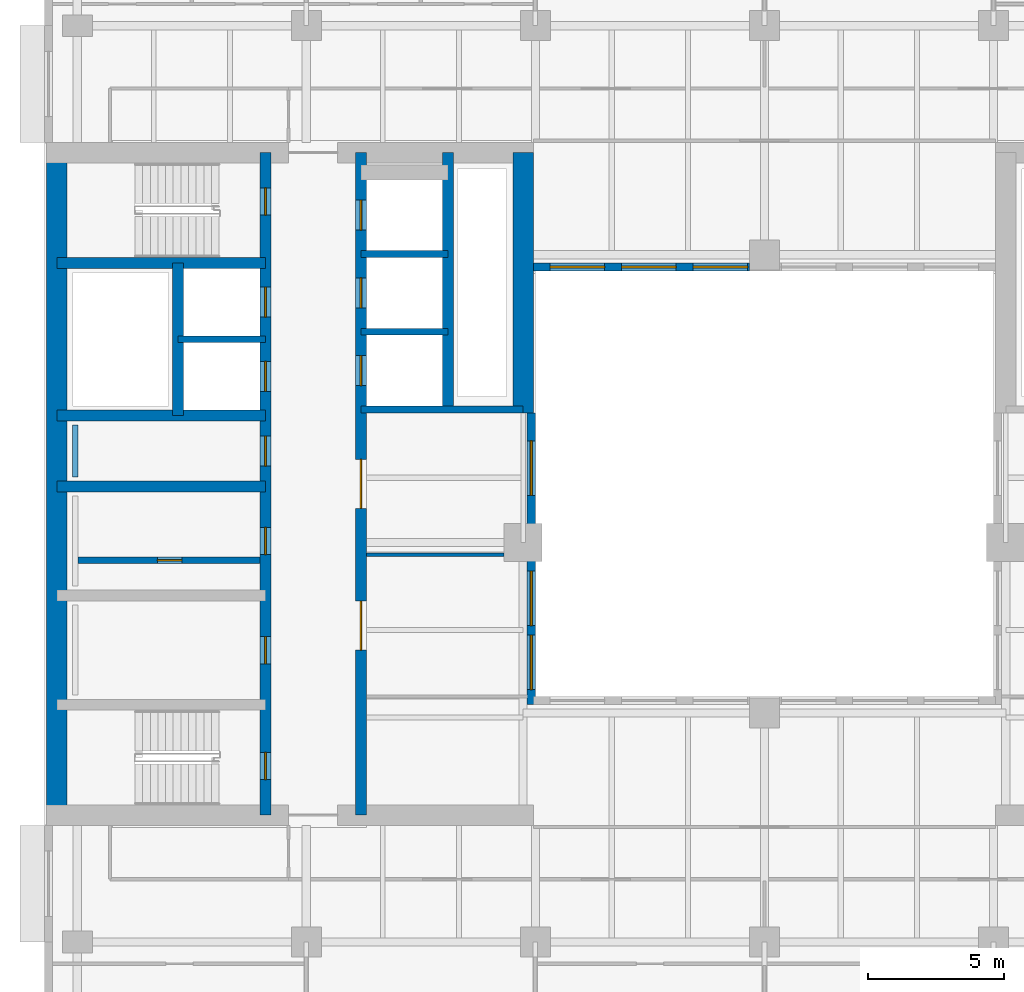
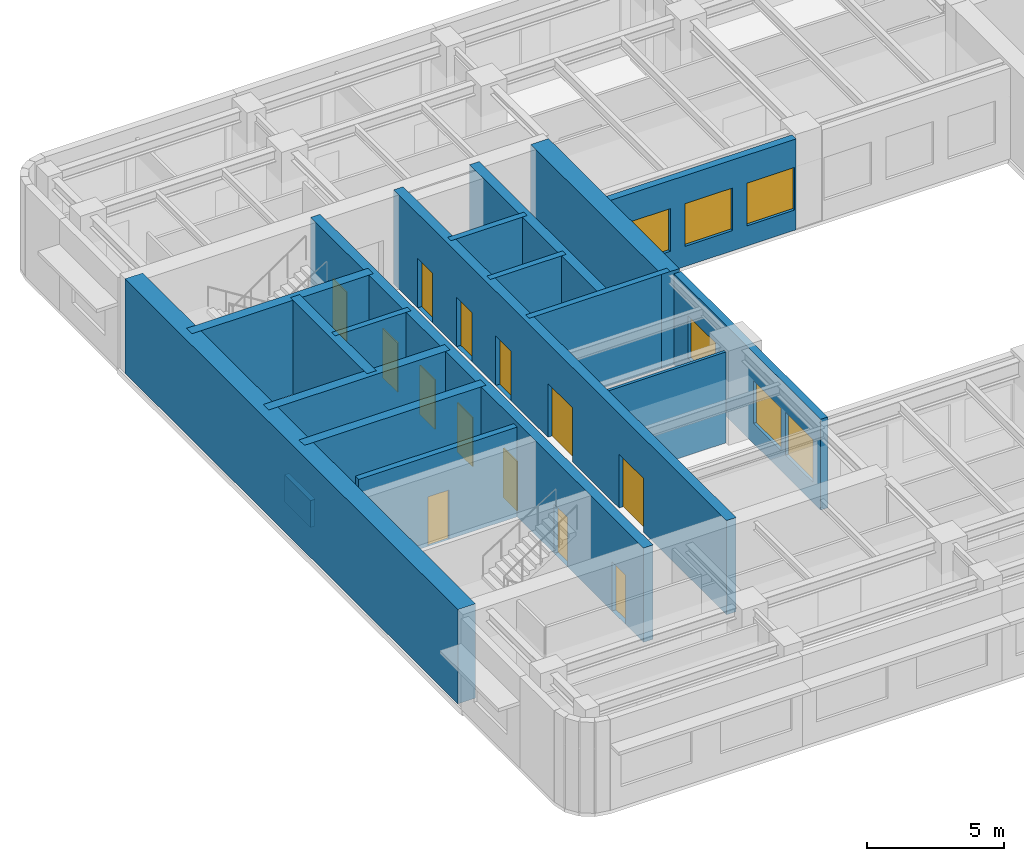
# One storey, part 4 of 11: 18 walls, 13 doors, 6 windows, 19 openings.
"""IFC4 building model written with IfcOpenShell, lengths in metres."""

from ifc_helpers import new_model, si_unit, direction, frame, frame_2d, origin, place, context, subcontext, project, spatial, rectangle, extrude, material, layer, layer_set, type_object, element, fill, save


model = new_model("IFC4")

# Units and contexts
model_context = context("Model", 3, precision=1e-05, world=origin(), true_north=direction((0.0, 1.0)))
body_context = subcontext(model_context, "Body", "Model", "MODEL_VIEW")
ifc_project = project(units=[si_unit("LENGTHUNIT", "METRE"), si_unit("AREAUNIT", "SQUARE_METRE"), si_unit("VOLUMEUNIT", "CUBIC_METRE"), si_unit("PLANEANGLEUNIT", "RADIAN"), si_unit("MASSUNIT", "GRAM", prefix="KILO")], contexts=[model_context])

# Site, building, storey
site_placement = place(None, origin())
site = spatial("IfcSite", under=ifc_project, at=site_placement, CompositionType="ELEMENT")
building_placement = place(site_placement, origin())
building = spatial("IfcBuilding", under=site, at=building_placement, Name="Claustro Exchange Tower", CompositionType="ELEMENT")
storey_placement = place(building_placement, frame((0.0, 0.0, 198.60009765625)))
storey = spatial("IfcBuildingStorey", under=building, at=storey_placement, Name="L45", CompositionType="ELEMENT", Elevation=198.60009765625)

# Wall
ifc_material_1 = material(Name="Laminated glass in aluminium frame", Category="aluminium")
ifc_layer_1 = layer(ifc_material_1, 0.1201171875)
ifc_layer_set_1 = layer_set([ifc_layer_1], Name="Laminated glass in aluminium frame")
wall_type_1 = type_object("IfcWallType", Name="P2 120 glazed partition", PredefinedType="PARTITIONING", material=ifc_layer_set_1)
wall_1_placement = place(storey_placement, frame((10.597900390625, 22.60009765625, 0.0), z_axis=(0.0, 0.0, 1.0), x_axis=(1.0, 0.0, 0.0)))
element("IfcWall", 1, at=wall_1_placement, inside=storey, type_object=wall_type_1, Name="Partition P2 L45", PredefinedType="PARTITIONING", context=body_context, shape_type="SweptSolid", body=[
    extrude(rectangle(XDim=5.052978515625, YDim=0.1201171875, at=frame_2d((2.5263671875, 0.0))), origin(), (0.0, 0.0, 1.0), 4.0498046875),
])

# Wall, opening, door
ifc_material_2 = material(Name="Concrete blockwork, rendered", Category="masonry")
ifc_layer_2 = layer(ifc_material_2, 0.25)
ifc_layer_set_2 = layer_set([ifc_layer_2], Name="Concrete blockwork, rendered")
wall_type_2 = type_object("IfcWallType", Name="P4 250 blockwork wall", PredefinedType="PARTITIONING", material=ifc_layer_set_2)
wall_2_placement = place(storey_placement, frame((0.02490234375, 22.39990234375, 0.0), z_axis=(0.0, 0.0, 1.0), x_axis=(1.0, 0.0, 0.0)))
wall_2 = element("IfcWall", 2, at=wall_2_placement, inside=storey, type_object=wall_type_2, Name="Partition P4 L45", PredefinedType="PARTITIONING", context=body_context, shape_type="SweptSolid", body=[
    extrude(rectangle(XDim=6.675048828125, YDim=0.25, at=frame_2d((3.33740234375, 0.0))), origin(), (0.0, 0.0, 1.0), 4.0),
])
opening_1_placement = place(wall_2_placement, frame((2.91259765625, 0.0, 0.0)))
opening_1 = element("IfcOpeningElement", 3, at=opening_1_placement, cuts=wall_2, Name="Opening D5", PredefinedType="OPENING", context=body_context, shape_type="SweptSolid", body=[
    extrude(rectangle(XDim=0.89990234375, YDim=2.199951171875, at=frame_2d((0.449951171875, 1.10009765625))), frame((0.0, 0.135009765625, 0.0), z_axis=(0.0, -1.0, 0.0), x_axis=(1.0, 0.0, 0.0)), (0.0, 0.0, 1.0), 0.27001953125),
])
ifc_material_3 = material(Name="Steel door, painted", Category="steel")
door_type_1 = type_object("IfcDoorType", Name="D5 900 x 2200 store door", OperationType="SINGLE_SWING_LEFT", PredefinedType="DOOR", material=ifc_material_3)
door_1_placement = place(opening_1_placement, frame((0.89990234375, 0.0, 0.0), z_axis=(0.0, 0.0, 1.0), x_axis=(-1.0, 0.0, 0.0)))
door_1 = element("IfcDoor", 4, at=door_1_placement, inside=storey, type_object=door_type_1, Name="Store door D5 L45", OperationType="SINGLE_SWING_LEFT", OverallHeight=2.199951171875, OverallWidth=0.89990234375, PredefinedType="DOOR", context=body_context, shape_type="SweptSolid", body=[
    extrude(rectangle(XDim=0.89990234375, YDim=2.199951171875, at=frame_2d((0.449951171875, 1.10009765625))), frame((0.0, 0.02490234375, 0.0), z_axis=(0.0, -1.0, 0.0), x_axis=(1.0, 0.0, 0.0)), (0.0, 0.0, 1.0), 0.050048828125),
])
fill(opening_1, door_1)

# Wall, openings, windows
ifc_material_4 = material(Name="Concrete HA-40 (C40/50), precast, white cement, acid-etched", Category="concrete")
ifc_layer_3 = layer(ifc_material_4, 0.300048828125)
ifc_layer_set_3 = layer_set([ifc_layer_3], Name="Concrete HA-40 (C40/50), precast, white cement, acid-etched")
wall_type_3 = type_object("IfcWallType", Name="PC1 300 precast concrete pier panel", PredefinedType="SOLIDWALL", material=ifc_layer_set_3)
wall_3_placement = place(storey_placement, frame((16.64990234375, 17.10009765625, 0.0), z_axis=(0.0, 0.0, 1.0), x_axis=(0.0, 1.0, 0.0)))
wall_3 = element("IfcWall", 5, at=wall_3_placement, inside=storey, type_object=wall_type_3, Name="Precast pier panel PC1 L45", PredefinedType="SOLIDWALL", context=body_context, shape_type="SweptSolid", body=[
    extrude(rectangle(XDim=10.699951171875, YDim=0.300048828125, at=frame_2d((5.35009765625, 0.0))), origin(), (0.0, 0.0, 1.0), 4.0498046875),
])
opening_2_placement = place(wall_3_placement, frame((0.550048828125, 0.0, 0.89990234375)))
opening_2 = element("IfcOpeningElement", 6, at=opening_2_placement, cuts=wall_3, Name="Opening W4", PredefinedType="OPENING", context=body_context, shape_type="SweptSolid", body=[
    extrude(rectangle(XDim=2.0, YDim=1.89990234375, at=frame_2d((1.0, 0.949951171875))), frame((0.0, 0.159912109375, 0.0), z_axis=(0.0, -1.0, 0.0), x_axis=(1.0, 0.0, 0.0)), (0.0, 0.0, 1.0), 0.320068359375),
])
opening_3_placement = place(wall_3_placement, frame((2.89990234375, 0.0, 0.89990234375)))
opening_3 = element("IfcOpeningElement", 7, at=opening_3_placement, cuts=wall_3, Name="Opening W4", PredefinedType="OPENING", context=body_context, shape_type="SweptSolid", body=[
    extrude(rectangle(XDim=2.0, YDim=1.89990234375, at=frame_2d((1.0, 0.949951171875))), frame((0.0, 0.159912109375, 0.0), z_axis=(0.0, -1.0, 0.0), x_axis=(1.0, 0.0, 0.0)), (0.0, 0.0, 1.0), 0.320068359375),
])
opening_4_placement = place(wall_3_placement, frame((7.675048828125, 0.0, 0.89990234375)))
opening_4 = element("IfcOpeningElement", 8, at=opening_4_placement, cuts=wall_3, Name="Opening W4", PredefinedType="OPENING", context=body_context, shape_type="SweptSolid", body=[
    extrude(rectangle(XDim=2.0, YDim=1.89990234375, at=frame_2d((1.0, 0.949951171875))), frame((0.0, 0.159912109375, 0.0), z_axis=(0.0, -1.0, 0.0), x_axis=(1.0, 0.0, 0.0)), (0.0, 0.0, 1.0), 0.320068359375),
])
ifc_material_5 = material(Name="Aluminium frame, clear double glazing", Category="aluminium")
window_type = type_object("IfcWindowType", Name="W4 2000 x 1900 light well window", PartitioningType="SINGLE_PANEL", PredefinedType="WINDOW", material=ifc_material_5)
window_1_placement = place(opening_2_placement, origin())
window_1 = element("IfcWindow", 9, at=window_1_placement, inside=storey, type_object=window_type, Name="Window W4 L45", OverallHeight=1.89990234375, OverallWidth=2.0, PartitioningType="SINGLE_PANEL", PredefinedType="WINDOW", context=body_context, shape_type="SweptSolid", body=[
    extrude(rectangle(XDim=2.0, YDim=1.89990234375, at=frame_2d((1.0, 0.949951171875))), frame((0.0, 0.030029296875, 0.0), z_axis=(0.0, -1.0, 0.0), x_axis=(1.0, 0.0, 0.0)), (0.0, 0.0, 1.0), 0.06005859375),
])
fill(opening_2, window_1)
window_2_placement = place(opening_3_placement, origin())
window_2 = element("IfcWindow", 10, at=window_2_placement, inside=storey, type_object=window_type, Name="Window W4 L45", OverallHeight=1.89990234375, OverallWidth=2.0, PartitioningType="SINGLE_PANEL", PredefinedType="WINDOW", context=body_context, shape_type="SweptSolid", body=[
    extrude(rectangle(XDim=2.0, YDim=1.89990234375, at=frame_2d((1.0, 0.949951171875))), frame((0.0, 0.030029296875, 0.0), z_axis=(0.0, -1.0, 0.0), x_axis=(1.0, 0.0, 0.0)), (0.0, 0.0, 1.0), 0.06005859375),
])
fill(opening_3, window_2)
window_3_placement = place(opening_4_placement, origin())
window_3 = element("IfcWindow", 11, at=window_3_placement, inside=storey, type_object=window_type, Name="Window W4 L45", OverallHeight=1.89990234375, OverallWidth=2.0, PartitioningType="SINGLE_PANEL", PredefinedType="WINDOW", context=body_context, shape_type="SweptSolid", body=[
    extrude(rectangle(XDim=2.0, YDim=1.89990234375, at=frame_2d((1.0, 0.949951171875))), frame((0.0, 0.030029296875, 0.0), z_axis=(0.0, -1.0, 0.0), x_axis=(1.0, 0.0, 0.0)), (0.0, 0.0, 1.0), 0.06005859375),
])
fill(opening_4, window_3)

wall_4_placement = place(storey_placement, frame((16.72509765625, 33.14990234375, 0.0), z_axis=(0.0, 0.0, 1.0), x_axis=(1.0, 0.0, 0.0)))
wall_4 = element("IfcWall", 12, at=wall_4_placement, inside=storey, type_object=wall_type_3, Name="Precast pier panel PC1 L45", PredefinedType="SOLIDWALL", context=body_context, shape_type="SweptSolid", body=[
    extrude(rectangle(XDim=7.9248046875, YDim=0.300048828125, at=frame_2d((3.96240234375, 0.0))), origin(), (0.0, 0.0, 1.0), 4.0498046875),
])
opening_5_placement = place(wall_4_placement, frame((0.61865234375, 0.0, 0.89990234375)))
opening_5 = element("IfcOpeningElement", 13, at=opening_5_placement, cuts=wall_4, Name="Opening W4", PredefinedType="OPENING", context=body_context, shape_type="SweptSolid", body=[
    extrude(rectangle(XDim=2.0, YDim=1.89990234375, at=frame_2d((1.0, 0.949951171875))), frame((0.0, 0.159912109375, 0.0), z_axis=(0.0, -1.0, 0.0), x_axis=(1.0, 0.0, 0.0)), (0.0, 0.0, 1.0), 0.320068359375),
])
opening_6_placement = place(wall_4_placement, frame((3.237548828125, 0.0, 0.89990234375)))
opening_6 = element("IfcOpeningElement", 14, at=opening_6_placement, cuts=wall_4, Name="Opening W4", PredefinedType="OPENING", context=body_context, shape_type="SweptSolid", body=[
    extrude(rectangle(XDim=2.0, YDim=1.89990234375, at=frame_2d((1.0, 0.949951171875))), frame((0.0, 0.159912109375, 0.0), z_axis=(0.0, -1.0, 0.0), x_axis=(1.0, 0.0, 0.0)), (0.0, 0.0, 1.0), 0.320068359375),
])
opening_7_placement = place(wall_4_placement, frame((5.856201171875, 0.0, 0.89990234375)))
opening_7 = element("IfcOpeningElement", 15, at=opening_7_placement, cuts=wall_4, Name="Opening W4", PredefinedType="OPENING", context=body_context, shape_type="SweptSolid", body=[
    extrude(rectangle(XDim=2.0, YDim=1.89990234375, at=frame_2d((1.0, 0.949951171875))), frame((0.0, 0.159912109375, 0.0), z_axis=(0.0, -1.0, 0.0), x_axis=(1.0, 0.0, 0.0)), (0.0, 0.0, 1.0), 0.320068359375),
])
window_4_placement = place(opening_5_placement, origin())
window_4 = element("IfcWindow", 16, at=window_4_placement, inside=storey, type_object=window_type, Name="Window W4 L45", OverallHeight=1.89990234375, OverallWidth=2.0, PartitioningType="SINGLE_PANEL", PredefinedType="WINDOW", context=body_context, shape_type="SweptSolid", body=[
    extrude(rectangle(XDim=2.0, YDim=1.89990234375, at=frame_2d((1.0, 0.949951171875))), frame((0.0, 0.030029296875, 0.0), z_axis=(0.0, -1.0, 0.0), x_axis=(1.0, 0.0, 0.0)), (0.0, 0.0, 1.0), 0.06005859375),
])
fill(opening_5, window_4)
window_5_placement = place(opening_6_placement, origin())
window_5 = element("IfcWindow", 17, at=window_5_placement, inside=storey, type_object=window_type, Name="Window W4 L45", OverallHeight=1.89990234375, OverallWidth=2.0, PartitioningType="SINGLE_PANEL", PredefinedType="WINDOW", context=body_context, shape_type="SweptSolid", body=[
    extrude(rectangle(XDim=2.0, YDim=1.89990234375, at=frame_2d((1.0, 0.949951171875))), frame((0.0, 0.030029296875, 0.0), z_axis=(0.0, -1.0, 0.0), x_axis=(1.0, 0.0, 0.0)), (0.0, 0.0, 1.0), 0.06005859375),
])
fill(opening_6, window_5)
window_6_placement = place(opening_7_placement, origin())
window_6 = element("IfcWindow", 18, at=window_6_placement, inside=storey, type_object=window_type, Name="Window W4 L45", OverallHeight=1.89990234375, OverallWidth=2.0, PartitioningType="SINGLE_PANEL", PredefinedType="WINDOW", context=body_context, shape_type="SweptSolid", body=[
    extrude(rectangle(XDim=2.0, YDim=1.89990234375, at=frame_2d((1.0, 0.949951171875))), frame((0.0, 0.030029296875, 0.0), z_axis=(0.0, -1.0, 0.0), x_axis=(1.0, 0.0, 0.0)), (0.0, 0.0, 1.0), 0.06005859375),
])
fill(opening_7, window_6)

# Walls
ifc_material_6 = material(Name="Gypsum board on steel studs, tiled", Category="steel")
ifc_layer_4 = layer(ifc_material_6, 0.199951171875)
ifc_layer_set_4 = layer_set([ifc_layer_4], Name="Gypsum board on steel studs, tiled")
wall_type_4 = type_object("IfcWallType", Name="PW1 200 WC duct wall", PredefinedType="PLUMBINGWALL", material=ifc_layer_set_4)
wall_5_placement = place(storey_placement, frame((-0.074951171875, 25.449951171875, 0.0), z_axis=(0.0, 0.0, 1.0), x_axis=(0.0, 1.0, 0.0)))
element("IfcWall", 19, at=wall_5_placement, inside=storey, type_object=wall_type_4, Name="WC duct wall PW1 L45", PredefinedType="PLUMBINGWALL", context=body_context, shape_type="SweptSolid", body=[
    extrude(rectangle(XDim=1.900146484375, YDim=0.199951171875, at=frame_2d((0.9501953125, 0.0))), origin(), (0.0, 0.0, 1.0), 1.199951171875),
])
ifc_material_7 = material(Name="Concrete HA-70 (C70/85)", Category="concrete")
ifc_layer_5 = layer(ifc_material_7, 0.75)
ifc_layer_set_5 = layer_set([ifc_layer_5], Name="Concrete HA-70 (C70/85)")
wall_type_5 = type_object("IfcWallType", Name="SW2X 750 exposed core shear wall, board-marked face", PredefinedType="SHEAR", material=ifc_layer_set_5)
wall_6_placement = place(storey_placement, frame((-0.75, 13.050048828125, 0.0), z_axis=(0.0, 0.0, 1.0), x_axis=(0.0, 1.0, 0.0)))
element("IfcWall", 20, at=wall_6_placement, inside=storey, type_object=wall_type_5, Name="Core wall SW2X W core W face L45", PredefinedType="SHEAR", context=body_context, shape_type="SweptSolid", body=[
    extrude(rectangle(XDim=24.300048828125, YDim=0.75, at=frame_2d((12.14990234375, 0.0))), origin(), (0.0, 0.0, 1.0), 4.199951171875),
])
wall_7_placement = place(storey_placement, frame((16.35009765625, 27.800048828125, 0.0), z_axis=(0.0, 0.0, 1.0), x_axis=(0.0, 1.0, 0.0)))
element("IfcWall", 21, at=wall_7_placement, inside=storey, type_object=wall_type_5, Name="Core wall SW2X W core E face L45", PredefinedType="SHEAR", context=body_context, shape_type="SweptSolid", body=[
    extrude(rectangle(XDim=9.550048828125, YDim=0.75, at=frame_2d((4.77490234375, 0.0))), origin(), (0.0, 0.0, 1.0), 4.199951171875),
])

# Wall, openings, doors
ifc_material_8 = material(Name="Concrete HA-50 (C50/60)", Category="concrete")
ifc_layer_6 = layer(ifc_material_8, 0.39990234375)
ifc_layer_set_6 = layer_set([ifc_layer_6], Name="Concrete HA-50 (C50/60)")
wall_type_6 = type_object("IfcWallType", Name="SW4 400 internal core wall", PredefinedType="SHEAR", material=ifc_layer_set_6)
wall_8_placement = place(storey_placement, frame((6.89990234375, 13.050048828125, 0.0), z_axis=(0.0, 0.0, 1.0), x_axis=(0.0, 1.0, 0.0)))
wall_8 = element("IfcWall", 22, at=wall_8_placement, inside=storey, type_object=wall_type_6, Name="Internal core wall SW4 W core L45", PredefinedType="SHEAR", context=body_context, shape_type="SweptSolid", body=[
    extrude(rectangle(XDim=24.300048828125, YDim=0.39990234375, at=frame_2d((12.14990234375, 0.0))), origin(), (0.0, 0.0, 1.0), 4.199951171875),
])
opening_8_placement = place(wall_8_placement, frame((1.300048828125, 0.0, 0.0)))
opening_8 = element("IfcOpeningElement", 23, at=opening_8_placement, cuts=wall_8, Name="Opening D4", PredefinedType="OPENING", context=body_context, shape_type="SweptSolid", body=[
    extrude(rectangle(XDim=1.0, YDim=2.199951171875, at=frame_2d((0.5, 1.10009765625))), frame((0.0, 0.2099609375, 0.0), z_axis=(0.0, -1.0, 0.0), x_axis=(1.0, 0.0, 0.0)), (0.0, 0.0, 1.0), 0.419921875),
])
opening_9_placement = place(wall_8_placement, frame((22.0, 0.0, 0.0)))
opening_9 = element("IfcOpeningElement", 24, at=opening_9_placement, cuts=wall_8, Name="Opening D4", PredefinedType="OPENING", context=body_context, shape_type="SweptSolid", body=[
    extrude(rectangle(XDim=1.0, YDim=2.199951171875, at=frame_2d((0.5, 1.10009765625))), frame((0.0, 0.2099609375, 0.0), z_axis=(0.0, -1.0, 0.0), x_axis=(1.0, 0.0, 0.0)), (0.0, 0.0, 1.0), 0.419921875),
])
opening_10_placement = place(wall_8_placement, frame((5.550048828125, 0.0, 0.0)))
opening_10 = element("IfcOpeningElement", 25, at=opening_10_placement, cuts=wall_8, Name="Opening D1", PredefinedType="OPENING", context=body_context, shape_type="SweptSolid", body=[
    extrude(rectangle(XDim=1.0, YDim=2.199951171875, at=frame_2d((0.5, 1.10009765625))), frame((0.0, 0.2099609375, 0.0), z_axis=(0.0, -1.0, 0.0), x_axis=(1.0, 0.0, 0.0)), (0.0, 0.0, 1.0), 0.419921875),
])
opening_11_placement = place(wall_8_placement, frame((9.550048828125, 0.0, 0.0)))
opening_11 = element("IfcOpeningElement", 26, at=opening_11_placement, cuts=wall_8, Name="Opening D1", PredefinedType="OPENING", context=body_context, shape_type="SweptSolid", body=[
    extrude(rectangle(XDim=1.0, YDim=2.199951171875, at=frame_2d((0.5, 1.10009765625))), frame((0.0, 0.2099609375, 0.0), z_axis=(0.0, -1.0, 0.0), x_axis=(1.0, 0.0, 0.0)), (0.0, 0.0, 1.0), 0.419921875),
])
opening_12_placement = place(wall_8_placement, frame((12.800048828125, 0.0, 0.0)))
opening_12 = element("IfcOpeningElement", 27, at=opening_12_placement, cuts=wall_8, Name="Opening D10", PredefinedType="OPENING", context=body_context, shape_type="SweptSolid", body=[
    extrude(rectangle(XDim=1.10009765625, YDim=2.199951171875, at=frame_2d((0.550048828125, 1.10009765625))), frame((0.0, 0.2099609375, 0.0), z_axis=(0.0, -1.0, 0.0), x_axis=(1.0, 0.0, 0.0)), (0.0, 0.0, 1.0), 0.419921875),
])
opening_13_placement = place(wall_8_placement, frame((15.53759765625, 0.0, 0.0)))
opening_13 = element("IfcOpeningElement", 28, at=opening_13_placement, cuts=wall_8, Name="Opening LD", PredefinedType="OPENING", context=body_context, shape_type="SweptSolid", body=[
    extrude(rectangle(XDim=1.10009765625, YDim=2.199951171875, at=frame_2d((0.550048828125, 1.10009765625))), frame((0.0, 0.2099609375, 0.0), z_axis=(0.0, -1.0, 0.0), x_axis=(1.0, 0.0, 0.0)), (0.0, 0.0, 1.0), 0.419921875),
])
opening_14_placement = place(wall_8_placement, frame((18.262451171875, 0.0, 0.0)))
opening_14 = element("IfcOpeningElement", 29, at=opening_14_placement, cuts=wall_8, Name="Opening LD", PredefinedType="OPENING", context=body_context, shape_type="SweptSolid", body=[
    extrude(rectangle(XDim=1.10009765625, YDim=2.199951171875, at=frame_2d((0.550048828125, 1.10009765625))), frame((0.0, 0.2099609375, 0.0), z_axis=(0.0, -1.0, 0.0), x_axis=(1.0, 0.0, 0.0)), (0.0, 0.0, 1.0), 0.419921875),
])
ifc_material_9 = material(Name="Timber door, oak veneer", Category="wood")
door_type_2 = type_object("IfcDoorType", Name="D1 1000 x 2200 single door", OperationType="SINGLE_SWING_LEFT", PredefinedType="DOOR", material=ifc_material_9)
door_2_placement = place(opening_10_placement, origin())
door_2 = element("IfcDoor", 30, at=door_2_placement, inside=storey, type_object=door_type_2, Name="Door D1 L45", OperationType="SINGLE_SWING_RIGHT", OverallHeight=2.199951171875, OverallWidth=1.0, PredefinedType="DOOR", context=body_context, shape_type="SweptSolid", body=[
    extrude(rectangle(XDim=1.0, YDim=2.199951171875, at=frame_2d((0.5, 1.10009765625))), frame((0.0, 0.02490234375, 0.0), z_axis=(0.0, -1.0, 0.0), x_axis=(1.0, 0.0, 0.0)), (0.0, 0.0, 1.0), 0.050048828125),
])
fill(opening_10, door_2)
door_3_placement = place(opening_11_placement, origin())
door_3 = element("IfcDoor", 31, at=door_3_placement, inside=storey, type_object=door_type_2, Name="Door D1 L45", OperationType="SINGLE_SWING_LEFT", OverallHeight=2.199951171875, OverallWidth=1.0, PredefinedType="DOOR", context=body_context, shape_type="SweptSolid", body=[
    extrude(rectangle(XDim=1.0, YDim=2.199951171875, at=frame_2d((0.5, 1.10009765625))), frame((0.0, 0.02490234375, 0.0), z_axis=(0.0, -1.0, 0.0), x_axis=(1.0, 0.0, 0.0)), (0.0, 0.0, 1.0), 0.050048828125),
])
fill(opening_11, door_3)
ifc_material_10 = material(Name="Timber door, oak veneer", Category="wood")
door_type_3 = type_object("IfcDoorType", Name="D10 1100 x 2200 accessible WC door", OperationType="SINGLE_SWING_LEFT", PredefinedType="DOOR", material=ifc_material_10)
door_4_placement = place(opening_12_placement, frame((1.10009765625, 0.0, 0.0), z_axis=(0.0, 0.0, 1.0), x_axis=(-1.0, 0.0, 0.0)))
door_4 = element("IfcDoor", 32, at=door_4_placement, inside=storey, type_object=door_type_3, Name="Accessible WC door D10 L45", OperationType="SINGLE_SWING_LEFT", OverallHeight=2.199951171875, OverallWidth=1.10009765625, PredefinedType="DOOR", context=body_context, shape_type="SweptSolid", body=[
    extrude(rectangle(XDim=1.10009765625, YDim=2.199951171875, at=frame_2d((0.550048828125, 1.10009765625))), frame((0.0, 0.02490234375, 0.0), z_axis=(0.0, -1.0, 0.0), x_axis=(1.0, 0.0, 0.0)), (0.0, 0.0, 1.0), 0.050048828125),
])
fill(opening_12, door_4)
ifc_material_11 = material(Name="Steel fire door, painted", Category="steel")
door_type_4 = type_object("IfcDoorType", Name="D4 1000 x 2200 fire-rated stair door", OperationType="SINGLE_SWING_LEFT", PredefinedType="DOOR", material=ifc_material_11)
door_5_placement = place(opening_8_placement, origin())
door_5 = element("IfcDoor", 33, at=door_5_placement, inside=storey, type_object=door_type_4, Name="Stair door D4 L45", OperationType="SINGLE_SWING_LEFT", OverallHeight=2.199951171875, OverallWidth=1.0, PredefinedType="DOOR", context=body_context, shape_type="SweptSolid", body=[
    extrude(rectangle(XDim=1.0, YDim=2.199951171875, at=frame_2d((0.5, 1.10009765625))), frame((0.0, 0.02490234375, 0.0), z_axis=(0.0, -1.0, 0.0), x_axis=(1.0, 0.0, 0.0)), (0.0, 0.0, 1.0), 0.050048828125),
])
fill(opening_8, door_5)
door_6_placement = place(opening_9_placement, origin())
door_6 = element("IfcDoor", 34, at=door_6_placement, inside=storey, type_object=door_type_4, Name="Stair door D4 L45", OperationType="SINGLE_SWING_RIGHT", OverallHeight=2.199951171875, OverallWidth=1.0, PredefinedType="DOOR", context=body_context, shape_type="SweptSolid", body=[
    extrude(rectangle(XDim=1.0, YDim=2.199951171875, at=frame_2d((0.5, 1.10009765625))), frame((0.0, 0.02490234375, 0.0), z_axis=(0.0, -1.0, 0.0), x_axis=(1.0, 0.0, 0.0)), (0.0, 0.0, 1.0), 0.050048828125),
])
fill(opening_9, door_6)
ifc_material_12 = material(Name="Stainless steel sliding door", Category="steel")
door_type_5 = type_object("IfcDoorType", Name="LD 1100 x 2200 lift landing door", OperationType="DOUBLE_DOOR_SLIDING", PredefinedType="DOOR", material=ifc_material_12)
door_7_placement = place(opening_13_placement, origin())
door_7 = element("IfcDoor", 35, at=door_7_placement, inside=storey, type_object=door_type_5, Name="Lift landing door LEW1 LD L45", OperationType="DOUBLE_DOOR_SLIDING", OverallHeight=2.199951171875, OverallWidth=1.10009765625, PredefinedType="DOOR", context=body_context, shape_type="SweptSolid", body=[
    extrude(rectangle(XDim=1.10009765625, YDim=2.199951171875, at=frame_2d((0.550048828125, 1.10009765625))), frame((0.0, 0.02490234375, 0.0), z_axis=(0.0, -1.0, 0.0), x_axis=(1.0, 0.0, 0.0)), (0.0, 0.0, 1.0), 0.050048828125),
])
fill(opening_13, door_7)
door_8_placement = place(opening_14_placement, origin())
door_8 = element("IfcDoor", 36, at=door_8_placement, inside=storey, type_object=door_type_5, Name="Lift landing door LEW2 LD L45", OperationType="DOUBLE_DOOR_SLIDING", OverallHeight=2.199951171875, OverallWidth=1.10009765625, PredefinedType="DOOR", context=body_context, shape_type="SweptSolid", body=[
    extrude(rectangle(XDim=1.10009765625, YDim=2.199951171875, at=frame_2d((0.550048828125, 1.10009765625))), frame((0.0, 0.02490234375, 0.0), z_axis=(0.0, -1.0, 0.0), x_axis=(1.0, 0.0, 0.0)), (0.0, 0.0, 1.0), 0.050048828125),
])
fill(opening_14, door_8)

wall_9_placement = place(storey_placement, frame((10.39990234375, 13.050048828125, 0.0), z_axis=(0.0, 0.0, 1.0), x_axis=(0.0, 1.0, 0.0)))
wall_9 = element("IfcWall", 37, at=wall_9_placement, inside=storey, type_object=wall_type_6, Name="Internal core wall SW4 W core L45", PredefinedType="SHEAR", context=body_context, shape_type="SweptSolid", body=[
    extrude(rectangle(XDim=24.300048828125, YDim=0.39990234375, at=frame_2d((12.14990234375, 0.0))), origin(), (0.0, 0.0, 1.0), 4.199951171875),
])
opening_15_placement = place(wall_9_placement, frame((15.75, 0.0, 0.0)))
opening_15 = element("IfcOpeningElement", 38, at=opening_15_placement, cuts=wall_9, Name="Opening LD", PredefinedType="OPENING", context=body_context, shape_type="SweptSolid", body=[
    extrude(rectangle(XDim=1.10009765625, YDim=2.199951171875, at=frame_2d((0.550048828125, 1.10009765625))), frame((0.0, 0.2099609375, 0.0), z_axis=(0.0, -1.0, 0.0), x_axis=(1.0, 0.0, 0.0)), (0.0, 0.0, 1.0), 0.419921875),
])
opening_16_placement = place(wall_9_placement, frame((18.60009765625, 0.0, 0.0)))
opening_16 = element("IfcOpeningElement", 39, at=opening_16_placement, cuts=wall_9, Name="Opening LD", PredefinedType="OPENING", context=body_context, shape_type="SweptSolid", body=[
    extrude(rectangle(XDim=1.10009765625, YDim=2.199951171875, at=frame_2d((0.550048828125, 1.10009765625))), frame((0.0, 0.2099609375, 0.0), z_axis=(0.0, -1.0, 0.0), x_axis=(1.0, 0.0, 0.0)), (0.0, 0.0, 1.0), 0.419921875),
])
opening_17_placement = place(wall_9_placement, frame((21.449951171875, 0.0, 0.0)))
opening_17 = element("IfcOpeningElement", 40, at=opening_17_placement, cuts=wall_9, Name="Opening LD", PredefinedType="OPENING", context=body_context, shape_type="SweptSolid", body=[
    extrude(rectangle(XDim=1.10009765625, YDim=2.199951171875, at=frame_2d((0.550048828125, 1.10009765625))), frame((0.0, 0.2099609375, 0.0), z_axis=(0.0, -1.0, 0.0), x_axis=(1.0, 0.0, 0.0)), (0.0, 0.0, 1.0), 0.419921875),
])
opening_18_placement = place(wall_9_placement, frame((6.050048828125, 0.0, 0.0)))
opening_18 = element("IfcOpeningElement", 41, at=opening_18_placement, cuts=wall_9, Name="Opening D3", PredefinedType="OPENING", context=body_context, shape_type="SweptSolid", body=[
    extrude(rectangle(XDim=1.800048828125, YDim=2.39990234375, at=frame_2d((0.89990234375, 1.199951171875))), frame((0.0, 0.2099609375, 0.0), z_axis=(0.0, -1.0, 0.0), x_axis=(1.0, 0.0, 0.0)), (0.0, 0.0, 1.0), 0.419921875),
])
opening_19_placement = place(wall_9_placement, frame((11.25, 0.0, 0.0)))
opening_19 = element("IfcOpeningElement", 42, at=opening_19_placement, cuts=wall_9, Name="Opening D3", PredefinedType="OPENING", context=body_context, shape_type="SweptSolid", body=[
    extrude(rectangle(XDim=1.800048828125, YDim=2.39990234375, at=frame_2d((0.89990234375, 1.199951171875))), frame((0.0, 0.2099609375, 0.0), z_axis=(0.0, -1.0, 0.0), x_axis=(1.0, 0.0, 0.0)), (0.0, 0.0, 1.0), 0.419921875),
])
ifc_material_13 = material(Name="Steel fire door, painted", Category="steel")
door_type_6 = type_object("IfcDoorType", Name="D3 1800 x 2400 fire-rated lobby double door", OperationType="DOUBLE_DOOR_SINGLE_SWING", PredefinedType="DOOR", material=ifc_material_13)
door_9_placement = place(opening_18_placement, frame((1.800048828125, 0.0, 0.0), z_axis=(0.0, 0.0, 1.0), x_axis=(-1.0, 0.0, 0.0)))
door_9 = element("IfcDoor", 43, at=door_9_placement, inside=storey, type_object=door_type_6, Name="Core zone door D3 L45", OperationType="DOUBLE_DOOR_SINGLE_SWING", OverallHeight=2.39990234375, OverallWidth=1.800048828125, PredefinedType="DOOR", context=body_context, shape_type="SweptSolid", body=[
    extrude(rectangle(XDim=1.800048828125, YDim=2.39990234375, at=frame_2d((0.89990234375, 1.199951171875))), frame((0.0, 0.02490234375, 0.0), z_axis=(0.0, -1.0, 0.0), x_axis=(1.0, 0.0, 0.0)), (0.0, 0.0, 1.0), 0.050048828125),
])
fill(opening_18, door_9)
door_10_placement = place(opening_19_placement, frame((1.800048828125, 0.0, 0.0), z_axis=(0.0, 0.0, 1.0), x_axis=(-1.0, 0.0, 0.0)))
door_10 = element("IfcDoor", 44, at=door_10_placement, inside=storey, type_object=door_type_6, Name="Core zone door D3 L45", OperationType="DOUBLE_DOOR_SINGLE_SWING", OverallHeight=2.39990234375, OverallWidth=1.800048828125, PredefinedType="DOOR", context=body_context, shape_type="SweptSolid", body=[
    extrude(rectangle(XDim=1.800048828125, YDim=2.39990234375, at=frame_2d((0.89990234375, 1.199951171875))), frame((0.0, 0.02490234375, 0.0), z_axis=(0.0, -1.0, 0.0), x_axis=(1.0, 0.0, 0.0)), (0.0, 0.0, 1.0), 0.050048828125),
])
fill(opening_19, door_10)
door_11_placement = place(opening_15_placement, origin())
door_11 = element("IfcDoor", 45, at=door_11_placement, inside=storey, type_object=door_type_5, Name="Lift landing door LHW1 LD L45", OperationType="DOUBLE_DOOR_SLIDING", OverallHeight=2.199951171875, OverallWidth=1.10009765625, PredefinedType="DOOR", context=body_context, shape_type="SweptSolid", body=[
    extrude(rectangle(XDim=1.10009765625, YDim=2.199951171875, at=frame_2d((0.550048828125, 1.10009765625))), frame((0.0, 0.02490234375, 0.0), z_axis=(0.0, -1.0, 0.0), x_axis=(1.0, 0.0, 0.0)), (0.0, 0.0, 1.0), 0.050048828125),
])
fill(opening_15, door_11)
door_12_placement = place(opening_16_placement, origin())
door_12 = element("IfcDoor", 46, at=door_12_placement, inside=storey, type_object=door_type_5, Name="Lift landing door LHW2 LD L45", OperationType="DOUBLE_DOOR_SLIDING", OverallHeight=2.199951171875, OverallWidth=1.10009765625, PredefinedType="DOOR", context=body_context, shape_type="SweptSolid", body=[
    extrude(rectangle(XDim=1.10009765625, YDim=2.199951171875, at=frame_2d((0.550048828125, 1.10009765625))), frame((0.0, 0.02490234375, 0.0), z_axis=(0.0, -1.0, 0.0), x_axis=(1.0, 0.0, 0.0)), (0.0, 0.0, 1.0), 0.050048828125),
])
fill(opening_16, door_12)
door_13_placement = place(opening_17_placement, origin())
door_13 = element("IfcDoor", 47, at=door_13_placement, inside=storey, type_object=door_type_5, Name="Lift landing door LSW1 LD L45", OperationType="DOUBLE_DOOR_SLIDING", OverallHeight=2.199951171875, OverallWidth=1.10009765625, PredefinedType="DOOR", context=body_context, shape_type="SweptSolid", body=[
    extrude(rectangle(XDim=1.10009765625, YDim=2.199951171875, at=frame_2d((0.550048828125, 1.10009765625))), frame((0.0, 0.02490234375, 0.0), z_axis=(0.0, -1.0, 0.0), x_axis=(1.0, 0.0, 0.0)), (0.0, 0.0, 1.0), 0.050048828125),
])
fill(opening_17, door_13)

# Walls
wall_10_placement = place(storey_placement, frame((13.60009765625, 27.925048828125, 0.0), z_axis=(0.0, 0.0, 1.0), x_axis=(0.0, 1.0, 0.0)))
element("IfcWall", 48, at=wall_10_placement, inside=storey, type_object=wall_type_6, Name="Internal core wall SW4 W core L45", PredefinedType="SHEAR", context=body_context, shape_type="SweptSolid", body=[
    extrude(rectangle(XDim=9.425048828125, YDim=0.39990234375, at=frame_2d((4.71240234375, 0.0))), origin(), (0.0, 0.0, 1.0), 4.199951171875),
])
for number, where, z_axis, x_axis, name in (
    (49, (-0.75, 25.10009765625, 0.0), (0.0, 0.0, 1.0), (1.0, 0.0, 0.0), "Internal core wall SW4 W core L45"),
    (50, (-0.75, 27.699951171875, 0.0), (0.0, 0.0, 1.0), (1.0, 0.0, 0.0), "Internal core wall SW4 W core L45"),
    (51, (-0.75, 33.300048828125, 0.0), (0.0, 0.0, 1.0), (1.0, 0.0, 0.0), "Internal core wall SW4 W core L45"),
):
    element("IfcWall", number, at=place(storey_placement, frame(where, z_axis=z_axis, x_axis=x_axis)), inside=storey, type_object=wall_type_6, Name=name, PredefinedType="SHEAR", context=body_context, shape_type="SweptSolid", body=[
        extrude(rectangle(XDim=7.64990234375, YDim=0.39990234375, at=frame_2d((3.824951171875, 0.0))), origin(), (0.0, 0.0, 1.0), 4.199951171875),
    ])
wall_11_placement = place(storey_placement, frame((3.699951171875, 27.699951171875, 0.0), z_axis=(0.0, 0.0, 1.0), x_axis=(0.0, 1.0, 0.0)))
element("IfcWall", 52, at=wall_11_placement, inside=storey, type_object=wall_type_6, Name="Internal core wall SW4 W core L45", PredefinedType="SHEAR", context=body_context, shape_type="SweptSolid", body=[
    extrude(rectangle(XDim=5.60009765625, YDim=0.39990234375, at=frame_2d((2.800048828125, 0.0))), origin(), (0.0, 0.0, 1.0), 4.199951171875),
])
ifc_material_14 = material(Name="Concrete HA-50 (C50/60)", Category="concrete")
ifc_layer_7 = layer(ifc_material_14, 0.25)
ifc_layer_set_7 = layer_set([ifc_layer_7], Name="Concrete HA-50 (C50/60)")
wall_type_7 = type_object("IfcWallType", Name="SW5 250 lift shaft divider wall", PredefinedType="SHEAR", material=ifc_layer_set_7)
wall_12_placement = place(storey_placement, frame((3.699951171875, 30.5, 0.0), z_axis=(0.0, 0.0, 1.0), x_axis=(1.0, 0.0, 0.0)))
element("IfcWall", 53, at=wall_12_placement, inside=storey, type_object=wall_type_7, Name="Lift shaft wall W core L45", PredefinedType="SHEAR", context=body_context, shape_type="SweptSolid", body=[
    extrude(rectangle(XDim=3.199951171875, YDim=0.25, at=frame_2d((1.60009765625, 0.0))), origin(), (0.0, 0.0, 1.0), 4.199951171875),
])
wall_13_placement = place(storey_placement, frame((10.39990234375, 27.925048828125, 0.0), z_axis=(0.0, 0.0, 1.0), x_axis=(1.0, 0.0, 0.0)))
element("IfcWall", 54, at=wall_13_placement, inside=storey, type_object=wall_type_7, Name="Core step wall W core L45", PredefinedType="SHEAR", context=body_context, shape_type="SweptSolid", body=[
    extrude(rectangle(XDim=5.9501953125, YDim=0.25, at=frame_2d((2.97509765625, 0.0))), origin(), (0.0, 0.0, 1.0), 4.199951171875),
])
for number, where, z_axis, x_axis, name in (
    (55, (10.39990234375, 30.77490234375, 0.0), (0.0, 0.0, 1.0), (1.0, 0.0, 0.0), "Lift shaft wall W core L45"),
    (56, (10.39990234375, 33.625, 0.0), (0.0, 0.0, 1.0), (1.0, 0.0, 0.0), "Lift shaft wall W core L45"),
):
    element("IfcWall", number, at=place(storey_placement, frame(where, z_axis=z_axis, x_axis=x_axis)), inside=storey, type_object=wall_type_7, Name=name, PredefinedType="SHEAR", context=body_context, shape_type="SweptSolid", body=[
        extrude(rectangle(XDim=3.2001953125, YDim=0.25, at=frame_2d((1.60009765625, 0.0))), origin(), (0.0, 0.0, 1.0), 4.199951171875),
    ])

save(model, "model.ifc")
